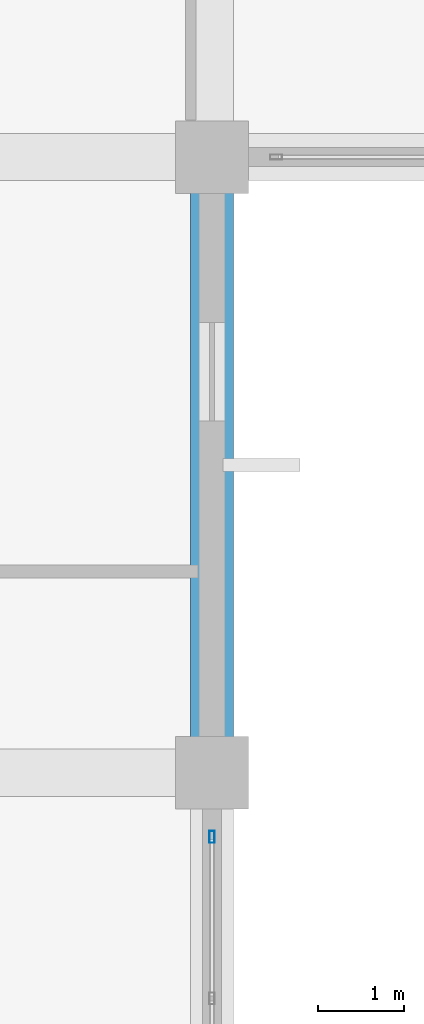
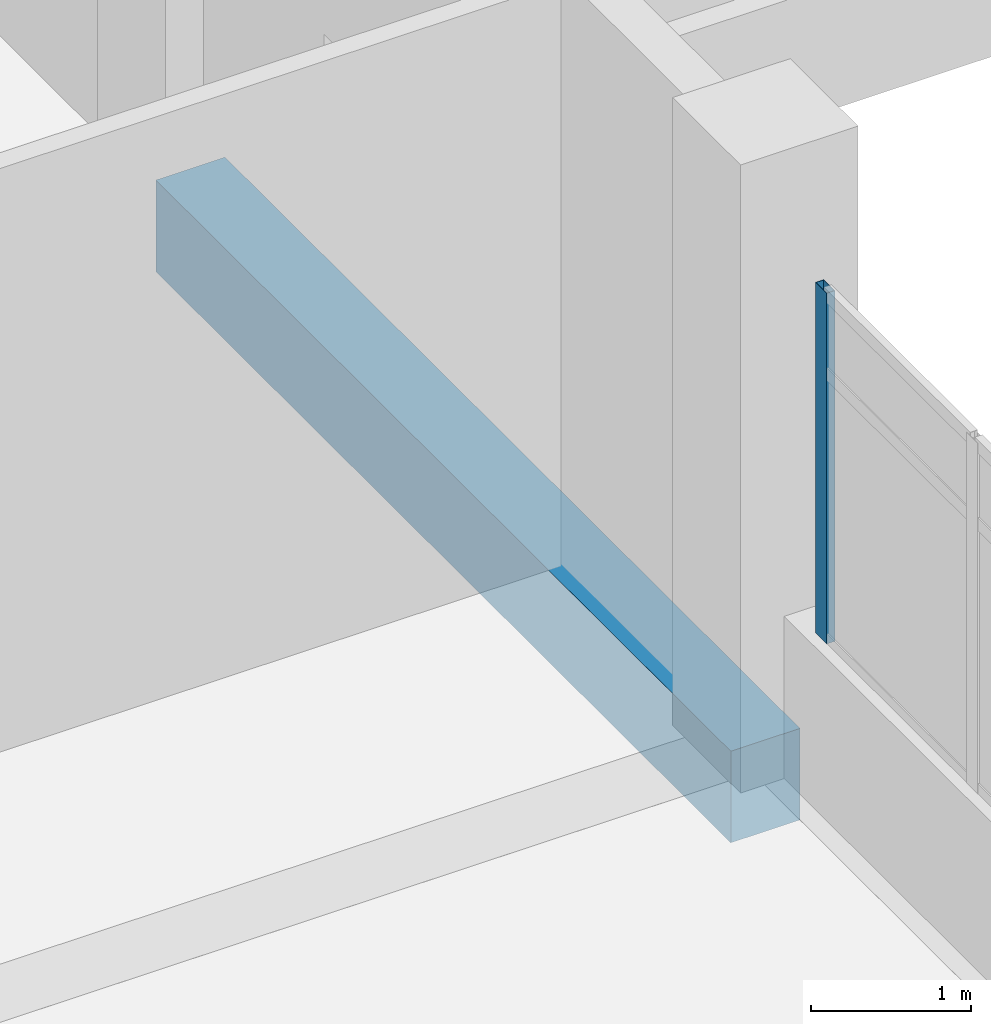
# One storey, part 30 of 181: 1 beam, 1 member, 1 element without a shape of its own.
"""IFC4 building model written with IfcOpenShell, lengths in metres."""

from ifc_helpers import new_model, si_unit, direction, frame, origin, origin_2d, place, context, subcontext, project, spatial, rectangle, hollow_rectangle, extrude, material, layer, layer_set, material_profile, profile_set, type_object, element, aggregate, save


model = new_model("IFC4")

# Units and contexts
model_context = context("Model", 3, precision=1e-05, world=origin(), true_north=direction((0.0, 1.0)))
body_context = subcontext(model_context, "Body", "Model", "MODEL_VIEW")
ifc_project = project(units=[si_unit("LENGTHUNIT", "METRE"), si_unit("AREAUNIT", "SQUARE_METRE"), si_unit("VOLUMEUNIT", "CUBIC_METRE"), si_unit("PLANEANGLEUNIT", "RADIAN"), si_unit("MASSUNIT", "GRAM", prefix="KILO")], contexts=[model_context])

# Site, building, storey
site_placement = place(None, origin())
site = spatial("IfcSite", under=ifc_project, at=site_placement, CompositionType="ELEMENT")
building_placement = place(site_placement, origin())
building = spatial("IfcBuilding", under=site, at=building_placement, Name="Seraya Terrace Polytechnic", CompositionType="ELEMENT")
storey_placement = place(building_placement, frame((0.0, 0.0, 4.800048828125)))
storey = spatial("IfcBuildingStorey", under=building, at=storey_placement, Name="L01", CompositionType="ELEMENT", Elevation=4.800048828125)

# Beam
ifc_material_1 = material(Name="Concrete C40/50", Category="concrete")
ifc_material_profile_1 = material_profile(ifc_material_1, rectangle(XDim=0.5, YDim=0.699951171875, at=origin_2d()), Name="RC 500x700")
ifc_profile_set_1 = profile_set([ifc_material_profile_1], Name="Concrete C40/50")
beam_type = type_object("IfcBeamType", Name="BM-07", PredefinedType="BEAM", material=ifc_profile_set_1)
beam_placement = place(storey_placement, frame((43.199951171875, 57.60009765625, -0.35009765625), z_axis=(0.0, 1.0, 0.0), x_axis=(-1.0, 0.0, 0.0)))
element("IfcBeam", 1, at=beam_placement, inside=storey, type_object=beam_type, Name="Beam BM-07 L01 Y (43.2, 57.6..64.8)", PredefinedType="BEAM", context=body_context, shape_type="SweptSolid", body=[
    extrude(rectangle(XDim=0.5, YDim=0.699951171875, at=origin_2d()), origin(), (0.0, 0.0, 1.0), 7.199951171875),
])

# Curtain wall, member
ifc_material_2 = material(Name="Anodised aluminium EN AW-6063 T6", Category="aluminium")
ifc_layer = layer(ifc_material_2, 0.179931640625, Name="CW-36")
ifc_layer_set = layer_set([ifc_layer], Name="Anodised aluminium EN AW-6063 T6")
curtain_wall_type = type_object("IfcCurtainWallType", Name="CW-36", PredefinedType="NOTDEFINED", material=ifc_layer_set)
curtain_wall_placement = place(storey_placement, origin())
curtain_wall = element("IfcCurtainWall", 2, at=curtain_wall_placement, inside=storey, type_object=curtain_wall_type, Name="Unitised curtain wall CW-36 (CW-L01-036)", PredefinedType="NOTDEFINED")
ifc_material_profile_2 = material_profile(ifc_material_2, hollow_rectangle(XDim=0.06005859375, YDim=0.139892578125, WallThickness=0.00341796875, at=origin_2d()), Name="RHS 140x60x3.5")
ifc_profile_set_2 = profile_set([ifc_material_profile_2], Name="Anodised aluminium EN AW-6063 T6")
member_type = type_object("IfcMemberType", Name="CWM-03", PredefinedType="MULLION", material=ifc_profile_set_2)
member_placement = place(storey_placement, frame((43.199951171875, 56.85009765625, 1.239990234375), z_axis=(0.0, 0.0, 1.0), x_axis=(1.0, 0.0, 0.0)))
member = element("IfcMember", 3, at=member_placement, type_object=member_type, Name="CW-36 mullion 1", PredefinedType="MULLION", context=body_context, shape_type="SweptSolid", body=[
    extrude(hollow_rectangle(XDim=0.06005859375, YDim=0.139892578125, WallThickness=0.00341796875, at=origin_2d()), origin(), (0.0, 0.0, 1.0), 2.679931640625),
])
aggregate(curtain_wall, [member])

save(model, "model.ifc")
